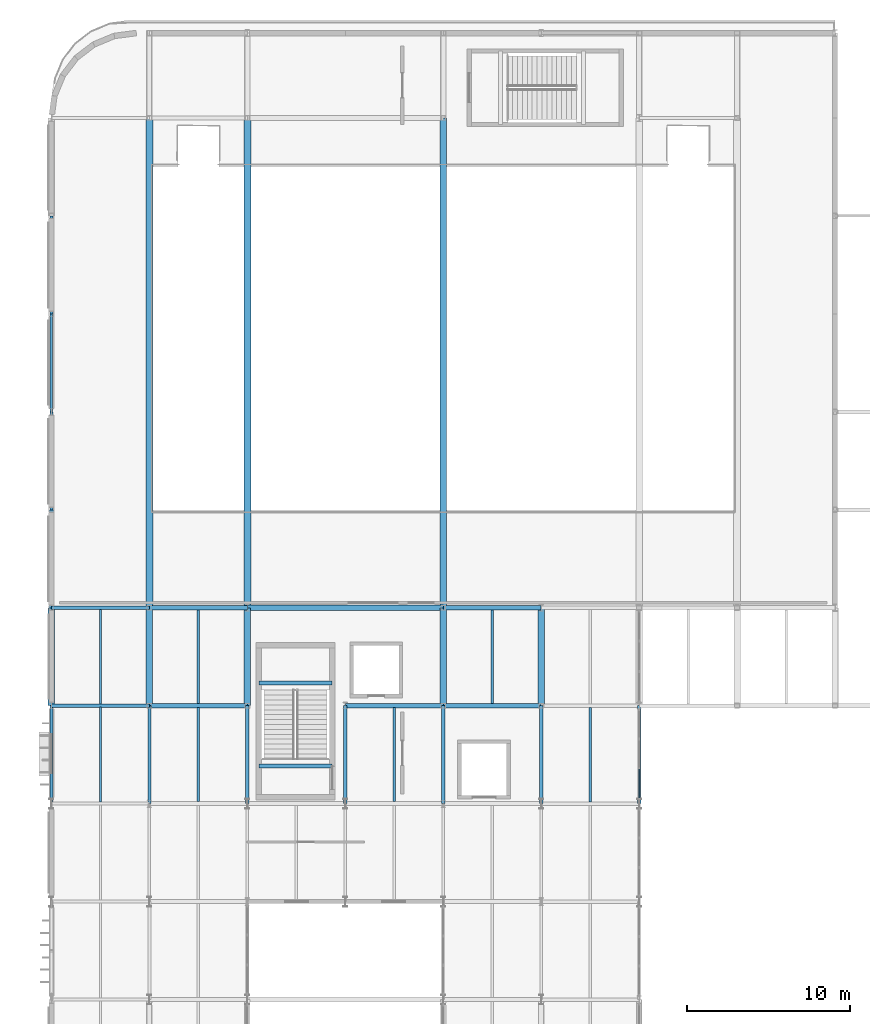
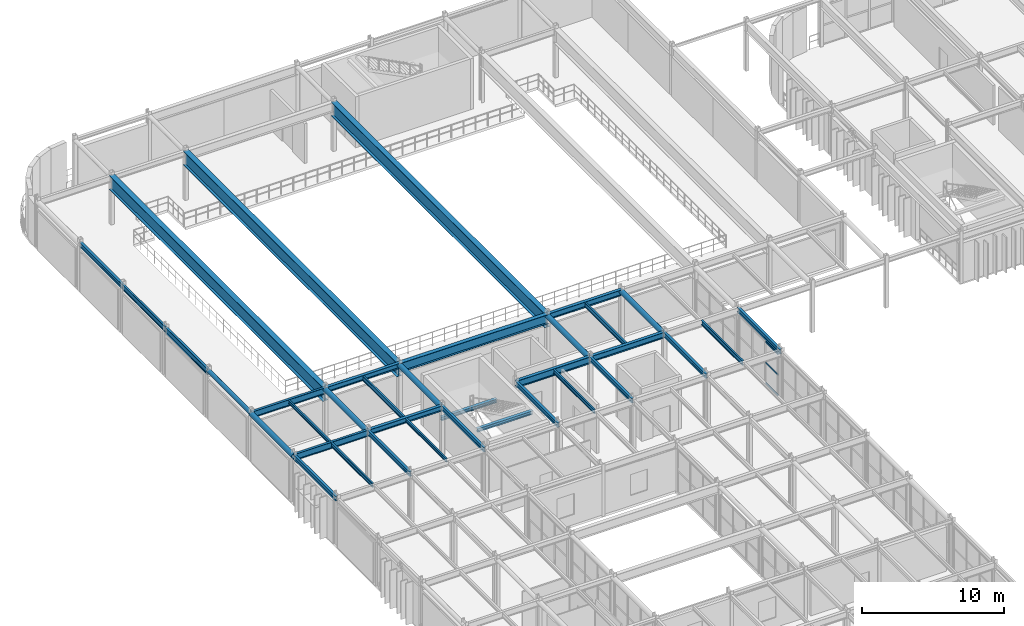
# One storey, part 42 of 96: 36 beams, 3 members, 1 element without a shape of its own.
"""IFC4 building model written with IfcOpenShell, lengths in metres."""

from ifc_helpers import new_model, si_unit, direction, frame, origin, origin_2d, place, context, subcontext, project, spatial, rectangle, hollow_circle, i_section, extrude, material, material_profile, profile_set, type_object, element, aggregate, save


model = new_model("IFC4")

# Units and contexts
model_context = context("Model", 3, precision=1e-05, world=origin(), true_north=direction((0.0, 1.0)))
body_context = subcontext(model_context, "Body", "Model", "MODEL_VIEW")
ifc_project = project(units=[si_unit("LENGTHUNIT", "METRE"), si_unit("AREAUNIT", "SQUARE_METRE"), si_unit("VOLUMEUNIT", "CUBIC_METRE"), si_unit("PLANEANGLEUNIT", "RADIAN"), si_unit("MASSUNIT", "GRAM", prefix="KILO")], contexts=[model_context])

# Site, building, storey
site_placement = place(None, origin())
site = spatial("IfcSite", under=ifc_project, at=site_placement, CompositionType="ELEMENT")
building_placement = place(site_placement, origin())
building = spatial("IfcBuilding", under=site, at=building_placement, Name="Varnakota Square Police Headquarters", CompositionType="ELEMENT")
storey_placement = place(building_placement, frame((0.0, 0.0, 4.800048828125)))
storey = spatial("IfcBuildingStorey", under=building, at=storey_placement, Name="L01", CompositionType="ELEMENT", Elevation=4.800048828125)

# Beams
ifc_material_1 = material(Name="Steel IS 2062 Grade 350", Category="steel")
ifc_material_profile_1 = material_profile(ifc_material_1, hollow_circle(Radius=0.161865234375, WallThickness=0.0126953125, at=origin_2d()), Name="CHS 323.9x12.7")
ifc_profile_set_1 = profile_set([ifc_material_profile_1], Name="Steel IS 2062 Grade 350")
beam_type_1 = type_object("IfcBeamType", Name="BM-ARC-CHS324", PredefinedType="BEAM", material=ifc_profile_set_1)
beam_1_placement = place(storey_placement, frame((6.0, 75.0, 4.0380859375), z_axis=(0.0, 1.0, 0.0), x_axis=(-1.0, 0.0, 0.0)))
element("IfcBeam", 1, at=beam_1_placement, inside=storey, type_object=beam_type_1, Name="BMG-L01-1546", PredefinedType="BEAM", context=body_context, shape_type="SweptSolid", body=[
    extrude(hollow_circle(Radius=0.161865234375, WallThickness=0.0126953125, at=origin_2d()), origin(), (0.0, 0.0, 1.0), 6.0),
])
ifc_material_profile_2 = material_profile(ifc_material_1, hollow_circle(Radius=0.203125, WallThickness=0.01611328125, at=origin_2d()), Name="CHS 406.4x16.0")
ifc_profile_set_2 = profile_set([ifc_material_profile_2], Name="Steel IS 2062 Grade 350")
beam_type_2 = type_object("IfcBeamType", Name="BM-ARC-CHS406", PredefinedType="BEAM", material=ifc_profile_set_2)
for number, where, z_axis, x_axis, name in (
    (2, (6.0, 69.0, 3.996826171875), (0.0, 1.0, 0.0), (-1.0, 0.0, 0.0), "BMG-L01-1545"),
    (3, (12.0, 69.0, 3.996826171875), (0.0, 1.0, 0.0), (-1.0, 0.0, 0.0), "BMG-L01-1562"),
    (4, (18.0, 69.0, 3.996826171875), (0.0, 1.0, 0.0), (-1.0, 0.0, 0.0), "BMG-L01-1576"),
    (5, (30.0, 69.0, 3.996826171875), (0.0, 1.0, 0.0), (-1.0, 0.0, 0.0), "BMG-L01-1598"),
    (6, (36.0, 69.0, 3.996826171875), (0.0, 1.0, 0.0), (-1.0, 0.0, 0.0), "BMG-L01-1612"),
):
    element("IfcBeam", number, at=place(storey_placement, frame(where, z_axis=z_axis, x_axis=x_axis)), inside=storey, type_object=beam_type_2, Name=name, PredefinedType="BEAM", context=body_context, shape_type="SweptSolid", body=[
        extrude(hollow_circle(Radius=0.203125, WallThickness=0.01611328125, at=origin_2d()), origin(), (0.0, 0.0, 1.0), 6.0),
    ])
ifc_material_profile_3 = material_profile(ifc_material_1, i_section(OverallWidth=0.419921875, OverallDepth=1.199951171875, WebThickness=0.02197265625, FlangeThickness=0.034912109375, at=origin_2d()), Name="BPG 1200x420")
ifc_profile_set_3 = profile_set([ifc_material_profile_3], Name="Steel IS 2062 Grade 350")
beam_type_3 = type_object("IfcBeamType", Name="BM-BPG1200", PredefinedType="BEAM", material=ifc_profile_set_3)
for number, where, z_axis, x_axis, name in (
    (7, (12.0, 75.0, 3.599853515625), (0.0, 1.0, 0.0), (-1.0, 0.0, 0.0), "Clear-span hall girder L01 X=12"),
    (8, (18.0, 75.0, 3.599853515625), (0.0, 1.0, 0.0), (-1.0, 0.0, 0.0), "Clear-span hall girder L01 X=18"),
    (9, (30.0, 75.0, 3.599853515625), (0.0, 1.0, 0.0), (-1.0, 0.0, 0.0), "Clear-span hall girder L01 X=30"),
):
    element("IfcBeam", number, at=place(storey_placement, frame(where, z_axis=z_axis, x_axis=x_axis)), inside=storey, type_object=beam_type_3, Name=name, PredefinedType="BEAM", context=body_context, shape_type="SweptSolid", body=[
        extrude(i_section(OverallWidth=0.419921875, OverallDepth=1.199951171875, WebThickness=0.02197265625, FlangeThickness=0.034912109375, at=origin_2d()), origin(), (0.0, 0.0, 1.0), 30.0),
    ])
ifc_material_profile_4 = material_profile(ifc_material_1, i_section(OverallWidth=0.320068359375, OverallDepth=0.800048828125, WebThickness=0.01611328125, FlangeThickness=0.028076171875, at=origin_2d()), Name="BPG 800x320")
ifc_profile_set_4 = profile_set([ifc_material_profile_4], Name="Steel IS 2062 Grade 350")
beam_type_4 = type_object("IfcBeamType", Name="BM-BPG800", PredefinedType="BEAM", material=ifc_profile_set_4)
beam_2_placement = place(storey_placement, frame((18.0, 75.0, 3.800048828125), z_axis=(1.0, 0.0, 0.0), x_axis=(0.0, 1.0, 0.0)))
element("IfcBeam", 10, at=beam_2_placement, inside=storey, type_object=beam_type_4, Name="BMG-L01-1445", PredefinedType="BEAM", context=body_context, shape_type="SweptSolid", body=[
    extrude(i_section(OverallWidth=0.320068359375, OverallDepth=0.800048828125, WebThickness=0.01611328125, FlangeThickness=0.028076171875, at=origin_2d()), origin(), (0.0, 0.0, 1.0), 12.0),
])
ifc_material_profile_5 = material_profile(ifc_material_1, i_section(OverallWidth=0.25, OverallDepth=0.300048828125, WebThickness=0.009521484375, FlangeThickness=0.010498046875, FilletRadius=0.011962890625, at=origin_2d()), Name="ISHB 300")
ifc_profile_set_5 = profile_set([ifc_material_profile_5], Name="Steel IS 2062 Grade 350")
beam_type_5 = type_object("IfcBeamType", Name="BM-ISHB300", PredefinedType="BEAM", material=ifc_profile_set_5)
for number, where, z_axis, x_axis, name in (
    (11, (18.699951171875, 70.400634765625, 1.94189453125), (1.0, 0.0, 0.0), (0.0, 1.0, 0.0), "Stair landing support beam BM-LND-0061"),
    (12, (18.699951171875, 65.300048828125, 4.050048828125), (1.0, 0.0, 0.0), (0.0, 1.0, 0.0), "Stair landing support beam BM-LND-0062"),
):
    element("IfcBeam", number, at=place(storey_placement, frame(where, z_axis=z_axis, x_axis=x_axis)), inside=storey, type_object=beam_type_5, Name=name, PredefinedType="BEAM", context=body_context, shape_type="SweptSolid", body=[
        extrude(i_section(OverallWidth=0.25, OverallDepth=0.300048828125, WebThickness=0.009521484375, FlangeThickness=0.010498046875, FilletRadius=0.011962890625, at=origin_2d()), origin(), (0.0, 0.0, 1.0), 4.5),
    ])
ifc_material_profile_6 = material_profile(ifc_material_1, i_section(OverallWidth=0.25, OverallDepth=0.449951171875, WebThickness=0.01123046875, FlangeThickness=0.013671875, FilletRadius=0.014892578125, at=origin_2d()), Name="ISHB 450")
ifc_profile_set_6 = profile_set([ifc_material_profile_6], Name="Steel IS 2062 Grade 350")
beam_type_6 = type_object("IfcBeamType", Name="BM-ISHB450", PredefinedType="BEAM", material=ifc_profile_set_6)
for number, where, z_axis, x_axis, name in (
    (13, (12.0, 69.0, 3.974853515625), (1.0, 0.0, 0.0), (0.0, 1.0, 0.0), "BMG-L01-1419"),
    (14, (12.0, 75.0, 3.974853515625), (1.0, 0.0, 0.0), (0.0, 1.0, 0.0), "BMG-L01-1444"),
):
    element("IfcBeam", number, at=place(storey_placement, frame(where, z_axis=z_axis, x_axis=x_axis)), inside=storey, type_object=beam_type_6, Name=name, PredefinedType="BEAM", context=body_context, shape_type="SweptSolid", body=[
        extrude(i_section(OverallWidth=0.25, OverallDepth=0.449951171875, WebThickness=0.01123046875, FlangeThickness=0.013671875, FilletRadius=0.014892578125, at=origin_2d()), origin(), (0.0, 0.0, 1.0), 6.0),
    ])
ifc_material_profile_7 = material_profile(ifc_material_1, i_section(OverallWidth=0.139892578125, OverallDepth=0.300048828125, WebThickness=0.0078125, FlangeThickness=0.01318359375, FilletRadius=0.013916015625, at=origin_2d()), Name="ISMB 300")
ifc_profile_set_7 = profile_set([ifc_material_profile_7], Name="Steel IS 2062 Grade 350")
beam_type_7 = type_object("IfcBeamType", Name="BM-ISMB300", PredefinedType="JOIST", material=ifc_profile_set_7)
beam_3_placement = place(storey_placement, frame((9.0, 69.093017578125, 4.050048828125), z_axis=(0.0, 1.0, 0.0), x_axis=(-1.0, 0.0, 0.0)))
element("IfcBeam", 15, at=beam_3_placement, inside=storey, type_object=beam_type_7, Name="BMG-L01-1785", PredefinedType="JOIST", context=body_context, shape_type="SweptSolid", body=[
    extrude(i_section(OverallWidth=0.139892578125, OverallDepth=0.300048828125, WebThickness=0.0078125, FlangeThickness=0.01318359375, FilletRadius=0.013916015625, at=origin_2d()), origin(), (0.0, 0.0, 1.0), 5.81396484375),
])
beam_4_placement = place(storey_placement, frame((15.0, 63.123046875, 4.050048828125), z_axis=(0.0, 1.0, 0.0), x_axis=(-1.0, 0.0, 0.0)))
element("IfcBeam", 16, at=beam_4_placement, inside=storey, type_object=beam_type_7, Name="BMG-L01-1795", PredefinedType="JOIST", context=body_context, shape_type="SweptSolid", body=[
    extrude(i_section(OverallWidth=0.139892578125, OverallDepth=0.300048828125, WebThickness=0.0078125, FlangeThickness=0.01318359375, FilletRadius=0.013916015625, at=origin_2d()), origin(), (0.0, 0.0, 1.0), 5.75390625),
])
ifc_material_profile_8 = material_profile(ifc_material_1, i_section(OverallWidth=0.139892578125, OverallDepth=0.35009765625, WebThickness=0.008056640625, FlangeThickness=0.01416015625, FilletRadius=0.013916015625, at=origin_2d()), Name="ISMB 350")
ifc_profile_set_8 = profile_set([ifc_material_profile_8], Name="Steel IS 2062 Grade 350")
beam_type_8 = type_object("IfcBeamType", Name="BM-ISMB350", PredefinedType="JOIST", material=ifc_profile_set_8)
beam_5_placement = place(storey_placement, frame((9.0, 63.093017578125, 4.02490234375), z_axis=(0.0, 1.0, 0.0), x_axis=(-1.0, 0.0, 0.0)))
element("IfcBeam", 17, at=beam_5_placement, inside=storey, type_object=beam_type_8, Name="BMG-L01-1784", PredefinedType="JOIST", context=body_context, shape_type="SweptSolid", body=[
    extrude(i_section(OverallWidth=0.139892578125, OverallDepth=0.35009765625, WebThickness=0.008056640625, FlangeThickness=0.01416015625, FilletRadius=0.013916015625, at=origin_2d()), origin(), (0.0, 0.0, 1.0), 5.81396484375),
])
beam_6_placement = place(storey_placement, frame((27.0, 63.123046875, 4.02490234375), z_axis=(0.0, 1.0, 0.0), x_axis=(-1.0, 0.0, 0.0)))
element("IfcBeam", 18, at=beam_6_placement, inside=storey, type_object=beam_type_8, Name="BMG-L01-1811", PredefinedType="JOIST", context=body_context, shape_type="SweptSolid", body=[
    extrude(i_section(OverallWidth=0.139892578125, OverallDepth=0.35009765625, WebThickness=0.008056640625, FlangeThickness=0.01416015625, FilletRadius=0.013916015625, at=origin_2d()), origin(), (0.0, 0.0, 1.0), 5.75390625),
])
ifc_material_profile_9 = material_profile(ifc_material_1, i_section(OverallWidth=0.139892578125, OverallDepth=0.39990234375, WebThickness=0.0087890625, FlangeThickness=0.01611328125, FilletRadius=0.013916015625, at=origin_2d()), Name="ISMB 400")
ifc_profile_set_9 = profile_set([ifc_material_profile_9], Name="Steel IS 2062 Grade 350")
beam_type_9 = type_object("IfcBeamType", Name="BM-ISMB400", PredefinedType="JOIST", material=ifc_profile_set_9)
for number, where, z_axis, x_axis, name in (
    (19, (15.0, 69.123046875, 4.0), (0.0, 1.0, 0.0), (-1.0, 0.0, 0.0), "BMG-L01-1796"),
    (20, (33.0, 69.123046875, 4.0), (0.0, 1.0, 0.0), (-1.0, 0.0, 0.0), "BMG-L01-1822"),
):
    element("IfcBeam", number, at=place(storey_placement, frame(where, z_axis=z_axis, x_axis=x_axis)), inside=storey, type_object=beam_type_9, Name=name, PredefinedType="JOIST", context=body_context, shape_type="SweptSolid", body=[
        extrude(i_section(OverallWidth=0.139892578125, OverallDepth=0.39990234375, WebThickness=0.0087890625, FlangeThickness=0.01611328125, FilletRadius=0.013916015625, at=origin_2d()), origin(), (0.0, 0.0, 1.0), 5.75390625),
    ])
beam_7_placement = place(storey_placement, frame((39.0, 63.10302734375, 4.0), z_axis=(0.0, 1.0, 0.0), x_axis=(-1.0, 0.0, 0.0)))
element("IfcBeam", 21, at=beam_7_placement, inside=storey, type_object=beam_type_9, Name="BMG-L01-1833", PredefinedType="JOIST", context=body_context, shape_type="SweptSolid", body=[
    extrude(i_section(OverallWidth=0.139892578125, OverallDepth=0.39990234375, WebThickness=0.0087890625, FlangeThickness=0.01611328125, FilletRadius=0.013916015625, at=origin_2d()), origin(), (0.0, 0.0, 1.0), 5.7939453125),
])
ifc_material_profile_10 = material_profile(ifc_material_1, i_section(OverallWidth=0.14990234375, OverallDepth=0.449951171875, WebThickness=0.009521484375, FlangeThickness=0.017333984375, FilletRadius=0.014892578125, at=origin_2d()), Name="ISMB 450")
ifc_profile_set_10 = profile_set([ifc_material_profile_10], Name="Steel IS 2062 Grade 350")
beam_type_10 = type_object("IfcBeamType", Name="BM-ISMB450", PredefinedType="BEAM", material=ifc_profile_set_10)
beam_8_placement = place(storey_placement, frame((6.0, 87.0, 3.974853515625), z_axis=(0.0, 1.0, 0.0), x_axis=(-1.0, 0.0, 0.0)))
element("IfcBeam", 22, at=beam_8_placement, inside=storey, type_object=beam_type_10, Name="BMG-L01-1548", PredefinedType="BEAM", context=body_context, shape_type="SweptSolid", body=[
    extrude(i_section(OverallWidth=0.14990234375, OverallDepth=0.449951171875, WebThickness=0.009521484375, FlangeThickness=0.017333984375, FilletRadius=0.014892578125, at=origin_2d()), origin(), (0.0, 0.0, 1.0), 6.0),
])
ifc_material_profile_11 = material_profile(ifc_material_1, i_section(OverallWidth=0.179931640625, OverallDepth=0.5, WebThickness=0.01025390625, FlangeThickness=0.01708984375, FilletRadius=0.01708984375, at=origin_2d()), Name="ISMB 500")
ifc_profile_set_11 = profile_set([ifc_material_profile_11], Name="Steel IS 2062 Grade 350")
beam_type_11 = type_object("IfcBeamType", Name="BM-ISMB500", PredefinedType="BEAM", material=ifc_profile_set_11)
beam_9_placement = place(storey_placement, frame((6.0, 81.0, 3.949951171875), z_axis=(0.0, 1.0, 0.0), x_axis=(-1.0, 0.0, 0.0)))
element("IfcBeam", 23, at=beam_9_placement, inside=storey, type_object=beam_type_11, Name="BMG-L01-1547", PredefinedType="BEAM", context=body_context, shape_type="SweptSolid", body=[
    extrude(i_section(OverallWidth=0.179931640625, OverallDepth=0.5, WebThickness=0.01025390625, FlangeThickness=0.01708984375, FilletRadius=0.01708984375, at=origin_2d()), origin(), (0.0, 0.0, 1.0), 6.0),
])
ifc_material_profile_12 = material_profile(ifc_material_1, i_section(OverallWidth=0.18994140625, OverallDepth=0.550048828125, WebThickness=0.01123046875, FlangeThickness=0.019287109375, FilletRadius=0.01806640625, at=origin_2d()), Name="ISMB 550")
ifc_profile_set_12 = profile_set([ifc_material_profile_12], Name="Steel IS 2062 Grade 350")
beam_type_12 = type_object("IfcBeamType", Name="BM-ISMB550", PredefinedType="BEAM", material=ifc_profile_set_12)
for number, where, z_axis, x_axis, name in (
    (24, (6.0, 69.0, 3.925048828125), (1.0, 0.0, 0.0), (0.0, 1.0, 0.0), "BMG-L01-1418"),
    (25, (6.0, 75.0, 3.925048828125), (1.0, 0.0, 0.0), (0.0, 1.0, 0.0), "BMG-L01-1443"),
):
    element("IfcBeam", number, at=place(storey_placement, frame(where, z_axis=z_axis, x_axis=x_axis)), inside=storey, type_object=beam_type_12, Name=name, PredefinedType="BEAM", context=body_context, shape_type="SweptSolid", body=[
        extrude(i_section(OverallWidth=0.18994140625, OverallDepth=0.550048828125, WebThickness=0.01123046875, FlangeThickness=0.019287109375, FilletRadius=0.01806640625, at=origin_2d()), origin(), (0.0, 0.0, 1.0), 6.0),
    ])
ifc_material_profile_13 = material_profile(ifc_material_1, i_section(OverallWidth=0.199951171875, OverallDepth=0.39990234375, WebThickness=0.008544921875, FlangeThickness=0.012939453125, FilletRadius=0.012939453125, at=origin_2d()), Name="ISWB 400")
ifc_profile_set_13 = profile_set([ifc_material_profile_13], Name="Steel IS 2062 Grade 350")
beam_type_13 = type_object("IfcBeamType", Name="BM-ISWB400", PredefinedType="BEAM", material=ifc_profile_set_13)
for number, where, z_axis, x_axis, name in (
    (26, (6.0, 63.0, 4.0), (0.0, 1.0, 0.0), (-1.0, 0.0, 0.0), "BMG-L01-1544"),
    (27, (6.0, 93.0, 4.0), (0.0, 1.0, 0.0), (-1.0, 0.0, 0.0), "BMG-L01-1549"),
    (28, (12.0, 63.0, 4.0), (0.0, 1.0, 0.0), (-1.0, 0.0, 0.0), "BMG-L01-1561"),
    (29, (18.0, 63.0, 4.0), (0.0, 1.0, 0.0), (-1.0, 0.0, 0.0), "BMG-L01-1575"),
    (30, (24.0, 63.0, 4.0), (0.0, 1.0, 0.0), (-1.0, 0.0, 0.0), "BMG-L01-1586"),
    (31, (30.0, 63.0, 4.0), (0.0, 1.0, 0.0), (-1.0, 0.0, 0.0), "BMG-L01-1597"),
    (32, (36.0, 63.0, 4.0), (0.0, 1.0, 0.0), (-1.0, 0.0, 0.0), "BMG-L01-1611"),
    (33, (42.0, 63.0, 4.0), (0.0, 1.0, 0.0), (-1.0, 0.0, 0.0), "BMG-L01-1623"),
):
    element("IfcBeam", number, at=place(storey_placement, frame(where, z_axis=z_axis, x_axis=x_axis)), inside=storey, type_object=beam_type_13, Name=name, PredefinedType="BEAM", context=body_context, shape_type="SweptSolid", body=[
        extrude(i_section(OverallWidth=0.199951171875, OverallDepth=0.39990234375, WebThickness=0.008544921875, FlangeThickness=0.012939453125, FilletRadius=0.012939453125, at=origin_2d()), origin(), (0.0, 0.0, 1.0), 6.0),
    ])
ifc_material_profile_14 = material_profile(ifc_material_1, i_section(OverallWidth=0.25, OverallDepth=0.5, WebThickness=0.010009765625, FlangeThickness=0.0146484375, FilletRadius=0.014892578125, at=origin_2d()), Name="ISWB 500")
ifc_profile_set_14 = profile_set([ifc_material_profile_14], Name="Steel IS 2062 Grade 350")
beam_type_14 = type_object("IfcBeamType", Name="BM-ISWB500", PredefinedType="BEAM", material=ifc_profile_set_14)
for number, where, z_axis, x_axis, name in (
    (34, (30.0, 69.0, 3.949951171875), (1.0, 0.0, 0.0), (0.0, 1.0, 0.0), "BMG-L01-1421"),
    (35, (30.0, 75.0, 3.949951171875), (1.0, 0.0, 0.0), (0.0, 1.0, 0.0), "BMG-L01-1446"),
):
    element("IfcBeam", number, at=place(storey_placement, frame(where, z_axis=z_axis, x_axis=x_axis)), inside=storey, type_object=beam_type_14, Name=name, PredefinedType="BEAM", context=body_context, shape_type="SweptSolid", body=[
        extrude(i_section(OverallWidth=0.25, OverallDepth=0.5, WebThickness=0.010009765625, FlangeThickness=0.0146484375, FilletRadius=0.014892578125, at=origin_2d()), origin(), (0.0, 0.0, 1.0), 6.0),
    ])
ifc_material_profile_15 = material_profile(ifc_material_1, i_section(OverallWidth=0.25, OverallDepth=0.60009765625, WebThickness=0.01171875, FlangeThickness=0.023681640625, FilletRadius=0.01708984375, at=origin_2d()), Name="ISWB 600")
ifc_profile_set_15 = profile_set([ifc_material_profile_15], Name="Steel IS 2062 Grade 350")
beam_type_15 = type_object("IfcBeamType", Name="BM-ISWB600", PredefinedType="BEAM", material=ifc_profile_set_15)
beam_10_placement = place(storey_placement, frame((24.0, 69.0, 3.89990234375), z_axis=(1.0, 0.0, 0.0), x_axis=(0.0, 1.0, 0.0)))
element("IfcBeam", 36, at=beam_10_placement, inside=storey, type_object=beam_type_15, Name="BMG-L01-1420", PredefinedType="BEAM", context=body_context, shape_type="SweptSolid", body=[
    extrude(i_section(OverallWidth=0.25, OverallDepth=0.60009765625, WebThickness=0.01171875, FlangeThickness=0.023681640625, FilletRadius=0.01708984375, at=origin_2d()), origin(), (0.0, 0.0, 1.0), 6.0),
])

# Curtain wall, members
ifc_material_2 = material(Name="Anodised Aluminium Framing", Category="aluminium")
curtain_wall_type = type_object("IfcCurtainWallType", Name="CW-SYS-D", PredefinedType="NOTDEFINED", material=ifc_material_2)
curtain_wall_placement = place(storey_placement, origin())
curtain_wall = element("IfcCurtainWall", 37, at=curtain_wall_placement, inside=storey, type_object=curtain_wall_type, Name="Unitised curtain wall CWG-L01-146", PredefinedType="NOTDEFINED")
ifc_material_3 = material(Name="Anodised Aluminium 6063-T6", Category="aluminium")
ifc_material_profile_16 = material_profile(ifc_material_3, rectangle(XDim=0.06494140625, YDim=0.1298828125, at=origin_2d()), Name="ALU TRANSOM 65x130")
ifc_profile_set_16 = profile_set([ifc_material_profile_16], Name="Anodised Aluminium 6063-T6")
member_type = type_object("IfcMemberType", Name="CWT-120", PredefinedType="USERDEFINED", material=ifc_profile_set_16)
member_1_placement = place(storey_placement, frame((42.0, 63.3701171875, 0.032470703125), z_axis=(0.0, 1.0, 0.0), x_axis=(-1.0, 0.0, 0.0)))
member_1 = element("IfcMember", 38, at=member_1_placement, type_object=member_type, Name="CWG-L01-146 transom 1.1", ObjectType="TRANSOM", PredefinedType="USERDEFINED", context=body_context, shape_type="SweptSolid", body=[
    extrude(rectangle(XDim=0.06494140625, YDim=0.1298828125, at=origin_2d()), origin(), (0.0, 0.0, 1.0), 1.732421875),
])
member_2_placement = place(storey_placement, frame((42.0, 63.3701171875, 1.794921875), z_axis=(0.0, 1.0, 0.0), x_axis=(-1.0, 0.0, 0.0)))
member_2 = element("IfcMember", 39, at=member_2_placement, type_object=member_type, Name="CWG-L01-146 transom 1.2", ObjectType="TRANSOM", PredefinedType="USERDEFINED", context=body_context, shape_type="SweptSolid", body=[
    extrude(rectangle(XDim=0.06494140625, YDim=0.1298828125, at=origin_2d()), origin(), (0.0, 0.0, 1.0), 1.732421875),
])
member_3_placement = place(storey_placement, frame((42.0, 63.3701171875, 3.557373046875), z_axis=(0.0, 1.0, 0.0), x_axis=(-1.0, 0.0, 0.0)))
member_3 = element("IfcMember", 40, at=member_3_placement, type_object=member_type, Name="CWG-L01-146 transom 1.3", ObjectType="TRANSOM", PredefinedType="USERDEFINED", context=body_context, shape_type="SweptSolid", body=[
    extrude(rectangle(XDim=0.06494140625, YDim=0.1298828125, at=origin_2d()), origin(), (0.0, 0.0, 1.0), 1.732421875),
])
aggregate(curtain_wall, [member_1, member_2, member_3])

save(model, "model.ifc")
